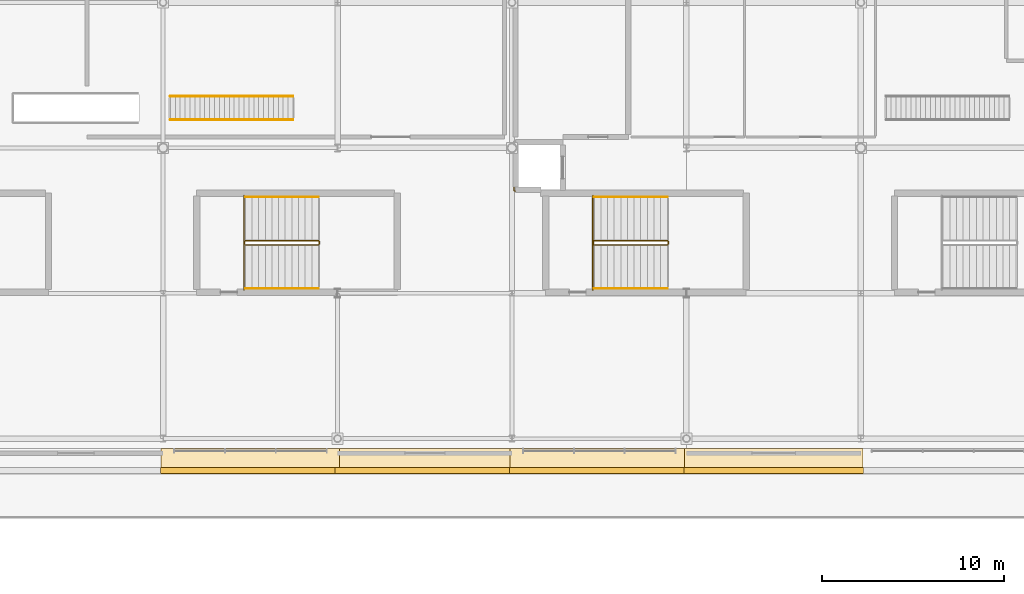
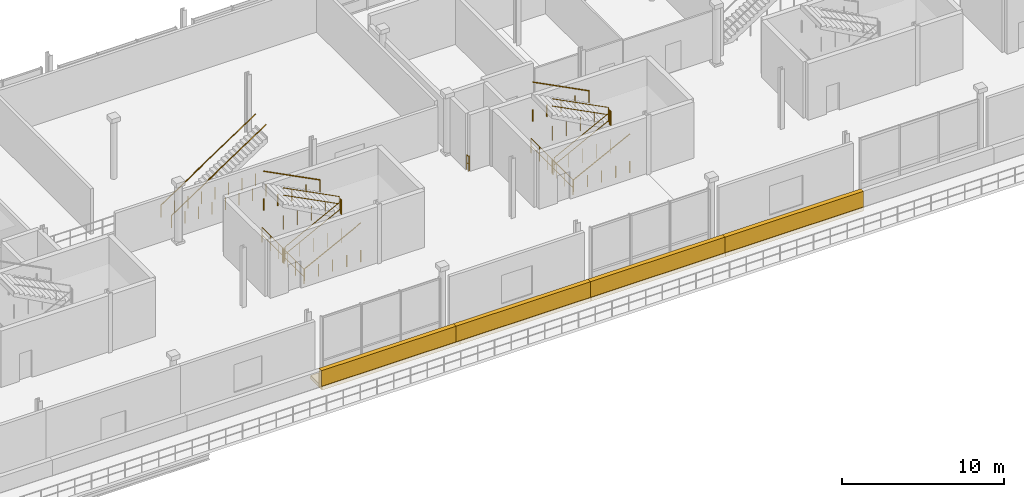
# One storey, part 30 of 36: 17 railings, 8 coverings.
"""IFC4 building model written with IfcOpenShell, lengths in metres."""

from ifc_helpers import new_model, si_unit, direction, frame, origin, origin_2d, place, context, subcontext, project, spatial, rectangle, circle, extrude, material, layer, layer_set, type_object, element, save


model = new_model("IFC4")

# Units and contexts
model_context = context("Model", 3, precision=1e-05, world=origin(), true_north=direction((0.0, 1.0)))
body_context = subcontext(model_context, "Body", "Model", "MODEL_VIEW")
ifc_project = project(units=[si_unit("LENGTHUNIT", "METRE"), si_unit("AREAUNIT", "SQUARE_METRE"), si_unit("VOLUMEUNIT", "CUBIC_METRE"), si_unit("PLANEANGLEUNIT", "RADIAN"), si_unit("MASSUNIT", "GRAM", prefix="KILO")], contexts=[model_context])

# Site, building, storey
site_placement = place(None, origin())
site = spatial("IfcSite", under=ifc_project, at=site_placement, CompositionType="ELEMENT")
building_placement = place(site_placement, origin())
building = spatial("IfcBuilding", under=site, at=building_placement, Name="Danafjord Basin Convention Centre", CompositionType="ELEMENT")
storey_placement = place(building_placement, frame((0.0, 0.0, 20.39990234375)))
storey = spatial("IfcBuildingStorey", under=building, at=storey_placement, Name="L04", CompositionType="ELEMENT", Elevation=20.39990234375)

# Coverings
ifc_material_1 = material(Name="Architectural white precast concrete C45/55", Category="concrete")
ifc_layer = layer(ifc_material_1, 0.320068359375)
ifc_layer_set = layer_set([ifc_layer], Name="Architectural white precast concrete C45/55")
covering_type = type_object("IfcCoveringType", Name="COV-BAND-HORIZ", PredefinedType="CLADDING", material=ifc_layer_set)
covering_1_placement = place(storey_placement, frame((33.60009765625, 6.75, -0.27978515625), z_axis=(0.0, 0.0, 1.0), x_axis=(1.0, 0.0, 0.0)))
element("IfcCovering", 1, at=covering_1_placement, inside=storey, type_object=covering_type, Name="L04 stepped horizontal band soffit plate 40", PredefinedType="CLADDING", context=body_context, shape_type="SweptSolid", body=[
    extrude(rectangle(XDim=9.840087890625, YDim=1.39990234375, at=origin_2d()), origin(), (0.0, 0.0, 1.0), 0.280029296875),
])
covering_2_placement = place(storey_placement, frame((33.60009765625, 6.239990234375, -0.23974609375), z_axis=(0.0, 0.0, 1.0), x_axis=(1.0, 0.0, 0.0)))
element("IfcCovering", 2, at=covering_2_placement, inside=storey, type_object=covering_type, Name="L04 layered horizontal white spandrel band 40", PredefinedType="CLADDING", context=body_context, shape_type="SweptSolid", body=[
    extrude(rectangle(XDim=9.8798828125, YDim=0.320068359375, at=origin_2d()), origin(), (0.0, 0.0, 1.0), 1.419921875),
])
covering_3_placement = place(storey_placement, frame((43.199951171875, 6.75, -0.27978515625), z_axis=(0.0, 0.0, 1.0), x_axis=(1.0, 0.0, 0.0)))
element("IfcCovering", 3, at=covering_3_placement, inside=storey, type_object=covering_type, Name="L04 stepped horizontal band soffit plate 41", PredefinedType="CLADDING", context=body_context, shape_type="SweptSolid", body=[
    extrude(rectangle(XDim=9.840087890625, YDim=1.39990234375, at=origin_2d()), origin(), (0.0, 0.0, 1.0), 0.280029296875),
])
covering_4_placement = place(storey_placement, frame((43.199951171875, 6.239990234375, -0.23974609375), z_axis=(0.0, 0.0, 1.0), x_axis=(1.0, 0.0, 0.0)))
element("IfcCovering", 4, at=covering_4_placement, inside=storey, type_object=covering_type, Name="L04 layered horizontal white spandrel band 41", PredefinedType="CLADDING", context=body_context, shape_type="SweptSolid", body=[
    extrude(rectangle(XDim=9.8798828125, YDim=0.320068359375, at=origin_2d()), origin(), (0.0, 0.0, 1.0), 1.419921875),
])
covering_5_placement = place(storey_placement, frame((52.800048828125, 6.75, -0.27978515625), z_axis=(0.0, 0.0, 1.0), x_axis=(1.0, 0.0, 0.0)))
element("IfcCovering", 5, at=covering_5_placement, inside=storey, type_object=covering_type, Name="L04 stepped horizontal band soffit plate 42", PredefinedType="CLADDING", context=body_context, shape_type="SweptSolid", body=[
    extrude(rectangle(XDim=9.840087890625, YDim=1.39990234375, at=origin_2d()), origin(), (0.0, 0.0, 1.0), 0.280029296875),
])
covering_6_placement = place(storey_placement, frame((52.800048828125, 6.239990234375, -0.23974609375), z_axis=(0.0, 0.0, 1.0), x_axis=(1.0, 0.0, 0.0)))
element("IfcCovering", 6, at=covering_6_placement, inside=storey, type_object=covering_type, Name="L04 layered horizontal white spandrel band 42", PredefinedType="CLADDING", context=body_context, shape_type="SweptSolid", body=[
    extrude(rectangle(XDim=9.8798828125, YDim=0.320068359375, at=origin_2d()), origin(), (0.0, 0.0, 1.0), 1.419921875),
])
covering_7_placement = place(storey_placement, frame((62.39990234375, 6.75, -0.27978515625), z_axis=(0.0, 0.0, 1.0), x_axis=(1.0, 0.0, 0.0)))
element("IfcCovering", 7, at=covering_7_placement, inside=storey, type_object=covering_type, Name="L04 stepped horizontal band soffit plate 43", PredefinedType="CLADDING", context=body_context, shape_type="SweptSolid", body=[
    extrude(rectangle(XDim=9.840087890625, YDim=1.39990234375, at=origin_2d()), origin(), (0.0, 0.0, 1.0), 0.280029296875),
])
covering_8_placement = place(storey_placement, frame((62.39990234375, 6.239990234375, -0.23974609375), z_axis=(0.0, 0.0, 1.0), x_axis=(1.0, 0.0, 0.0)))
element("IfcCovering", 8, at=covering_8_placement, inside=storey, type_object=covering_type, Name="L04 layered horizontal white spandrel band 43", PredefinedType="CLADDING", context=body_context, shape_type="SweptSolid", body=[
    extrude(rectangle(XDim=9.8798828125, YDim=0.320068359375, at=origin_2d()), origin(), (0.0, 0.0, 1.0), 1.419921875),
])

# Railings
ifc_material_2 = material(Name="Laminated structural glass and stainless steel", Category="steel")
railing_type_1 = type_object("IfcRailingType", Name="RL-BAL-GLS", PredefinedType="BALUSTRADE", material=ifc_material_2)
railing_1_placement = place(storey_placement, frame((52.449951171875, 21.375, 0.0)))
element("IfcRailing", 9, at=railing_1_placement, inside=storey, type_object=railing_type_1, Name="L04 safety guard balustrade 300", PredefinedType="BALUSTRADE", context=body_context, shape_type="SweptSolid", body=[
    extrude(circle(Radius=0.02392578125, at=origin_2d()), frame((0.0, 0.0, 1.1259765625), z_axis=(0.0, -1.0, 0.0), x_axis=(1.0, 0.0, 0.0)), (0.0, 0.0, 1.0), 5.18994140625),
    extrude(circle(Radius=0.02392578125, at=origin_2d()), frame((0.0, 0.0, 0.55078125), z_axis=(0.0, -1.0, 0.0), x_axis=(1.0, 0.0, 0.0)), (0.0, 0.0, 1.0), 5.18994140625),
    extrude(circle(Radius=0.02099609375, at=origin_2d()), origin(), (0.0, 0.0, 1.0), 1.099853515625),
    extrude(circle(Radius=0.02099609375, at=origin_2d()), frame((0.0, -1.0380859375, 0.0)), (0.0, 0.0, 1.0), 1.099853515625),
    extrude(circle(Radius=0.02099609375, at=origin_2d()), frame((0.0, -2.075927734375, 0.0)), (0.0, 0.0, 1.0), 1.099853515625),
    extrude(circle(Radius=0.02099609375, at=origin_2d()), frame((0.0, -3.114013671875, 0.0)), (0.0, 0.0, 1.0), 1.099853515625),
    extrude(circle(Radius=0.02099609375, at=origin_2d()), frame((0.0, -4.15185546875, 0.0)), (0.0, 0.0, 1.0), 1.099853515625),
    extrude(circle(Radius=0.02099609375, at=origin_2d()), frame((0.0, -5.18994140625, 0.0)), (0.0, 0.0, 1.0), 1.099853515625),
])
railing_2_placement = place(storey_placement, frame((48.1201171875, 21.8349609375, 0.0)))
element("IfcRailing", 10, at=railing_2_placement, inside=storey, type_object=railing_type_1, Name="L04 safety guard balustrade 302", PredefinedType="BALUSTRADE", context=body_context, shape_type="SweptSolid", body=[
    extrude(circle(Radius=0.02392578125, at=origin_2d()), frame((0.0, 0.0, 1.1259765625), z_axis=(0.0, -1.0, 0.0), x_axis=(1.0, 0.0, 0.0)), (0.0, 0.0, 1.0), 0.21484375),
    extrude(circle(Radius=0.02392578125, at=origin_2d()), frame((0.0, 0.0, 0.55078125), z_axis=(0.0, -1.0, 0.0), x_axis=(1.0, 0.0, 0.0)), (0.0, 0.0, 1.0), 0.21484375),
    extrude(circle(Radius=0.02392578125, at=origin_2d()), frame((0.0, -0.21484375, 1.1259765625), z_axis=(1.0, 0.0, 0.0), x_axis=(0.0, 1.0, 0.0)), (0.0, 0.0, 1.0), 0.079833984375),
    extrude(circle(Radius=0.02392578125, at=origin_2d()), frame((0.0, -0.21484375, 0.55078125), z_axis=(1.0, 0.0, 0.0), x_axis=(0.0, 1.0, 0.0)), (0.0, 0.0, 1.0), 0.079833984375),
    extrude(circle(Radius=0.02099609375, at=origin_2d()), origin(), (0.0, 0.0, 1.0), 1.099853515625),
    extrude(circle(Radius=0.02099609375, at=origin_2d()), frame((0.0, -0.21484375, 0.0)), (0.0, 0.0, 1.0), 1.099853515625),
    extrude(circle(Radius=0.02099609375, at=origin_2d()), frame((0.079833984375, -0.21484375, 0.0)), (0.0, 0.0, 1.0), 1.099853515625),
])
ifc_material_3 = material(Name="Galvanised and powder-coated steel S355", Category="steel")
railing_type_2 = type_object("IfcRailingType", Name="RL-BAL-STL", PredefinedType="BALUSTRADE", material=ifc_material_3)
railing_3_placement = place(storey_placement, frame((33.25, 21.375, 0.0)))
element("IfcRailing", 11, at=railing_3_placement, inside=storey, type_object=railing_type_2, Name="L04 safety guard balustrade 303", PredefinedType="BALUSTRADE", context=body_context, shape_type="SweptSolid", body=[
    extrude(circle(Radius=0.02392578125, at=origin_2d()), frame((0.0, 0.0, 1.1259765625), z_axis=(0.0, -1.0, 0.0), x_axis=(1.0, 0.0, 0.0)), (0.0, 0.0, 1.0), 5.18994140625),
    extrude(circle(Radius=0.02392578125, at=origin_2d()), frame((0.0, 0.0, 0.55078125), z_axis=(0.0, -1.0, 0.0), x_axis=(1.0, 0.0, 0.0)), (0.0, 0.0, 1.0), 5.18994140625),
    extrude(circle(Radius=0.02099609375, at=origin_2d()), origin(), (0.0, 0.0, 1.0), 1.099853515625),
    extrude(circle(Radius=0.02099609375, at=origin_2d()), frame((0.0, -1.0380859375, 0.0)), (0.0, 0.0, 1.0), 1.099853515625),
    extrude(circle(Radius=0.02099609375, at=origin_2d()), frame((0.0, -2.075927734375, 0.0)), (0.0, 0.0, 1.0), 1.099853515625),
    extrude(circle(Radius=0.02099609375, at=origin_2d()), frame((0.0, -3.114013671875, 0.0)), (0.0, 0.0, 1.0), 1.099853515625),
    extrude(circle(Radius=0.02099609375, at=origin_2d()), frame((0.0, -4.15185546875, 0.0)), (0.0, 0.0, 1.0), 1.099853515625),
    extrude(circle(Radius=0.02099609375, at=origin_2d()), frame((0.0, -5.18994140625, 0.0)), (0.0, 0.0, 1.0), 1.099853515625),
])
ifc_material_4 = material(Name="Galvanised steel S355", Category="steel")
railing_type_3 = type_object("IfcRailingType", Name="RL-GD-WELL", PredefinedType="BALUSTRADE", material=ifc_material_4)
railing_4_placement = place(storey_placement, frame((52.530029296875, 18.659912109375, 0.1875)))
element("IfcRailing", 12, at=railing_4_placement, inside=storey, type_object=railing_type_3, Name="L04 ST-05 stair guard 1", PredefinedType="BALUSTRADE", context=body_context, shape_type="SweptSolid", body=[
    extrude(circle(Radius=0.02392578125, at=origin_2d()), frame((0.0, 0.0, 1.076171875), z_axis=(0.889495128042, 0.0, 0.456944654405), x_axis=(0.0, 1.0, 0.0)), (0.0, 0.0, 1.0), 4.513671875),
    extrude(circle(Radius=0.02392578125, at=origin_2d()), frame((0.0, 0.0, 0.52587890625), z_axis=(0.889495128042, 0.0, 0.456944654405), x_axis=(0.0, 1.0, 0.0)), (0.0, 0.0, 1.0), 4.513671875),
    extrude(circle(Radius=0.02099609375, at=origin_2d()), origin(), (0.0, 0.0, 1.0), 1.050048828125),
    extrude(circle(Radius=0.02099609375, at=origin_2d()), frame((1.003662109375, 0.0, 0.0)), (0.0, 0.0, 1.0), 1.050048828125),
    extrude(circle(Radius=0.02099609375, at=origin_2d()), frame((2.00732421875, 0.0, 0.0)), (0.0, 0.0, 1.0), 1.050048828125),
    extrude(circle(Radius=0.02099609375, at=origin_2d()), frame((3.01123046875, 0.0, 0.0)), (0.0, 0.0, 1.0), 1.050048828125),
    extrude(circle(Radius=0.02099609375, at=origin_2d()), frame((4.014892578125, 0.0, 0.0)), (0.0, 0.0, 1.0), 1.050048828125),
])
railing_5_placement = place(storey_placement, frame((56.594970703125, 18.7099609375, 2.25)))
element("IfcRailing", 13, at=railing_5_placement, inside=storey, type_object=railing_type_3, Name="L04 ST-05 stair guard 2", PredefinedType="BALUSTRADE", context=body_context, shape_type="SweptSolid", body=[
    extrude(circle(Radius=0.02392578125, at=origin_2d()), frame((0.0, 0.0, 1.076171875), z_axis=(0.0, 1.0, 0.0), x_axis=(-1.0, 0.0, 0.0)), (0.0, 0.0, 1.0), 0.14013671875),
    extrude(circle(Radius=0.02392578125, at=origin_2d()), frame((0.0, 0.0, 0.52587890625), z_axis=(0.0, 1.0, 0.0), x_axis=(-1.0, 0.0, 0.0)), (0.0, 0.0, 1.0), 0.14013671875),
    extrude(circle(Radius=0.02099609375, at=origin_2d()), origin(), (0.0, 0.0, 1.0), 1.050048828125),
    extrude(circle(Radius=0.02099609375, at=origin_2d()), frame((0.0, 0.14013671875, 0.0)), (0.0, 0.0, 1.0), 1.050048828125),
])
railing_6_placement = place(storey_placement, frame((56.544921875, 18.89990234375, 2.4375)))
element("IfcRailing", 14, at=railing_6_placement, inside=storey, type_object=railing_type_3, Name="L04 ST-05 stair guard 3", PredefinedType="BALUSTRADE", context=body_context, shape_type="SweptSolid", body=[
    extrude(circle(Radius=0.02392578125, at=origin_2d()), frame((0.0, 0.0, 1.076171875), z_axis=(-0.889495128042, 0.0, 0.456944654405), x_axis=(0.0, -1.0, 0.0)), (0.0, 0.0, 1.0), 4.513671875),
    extrude(circle(Radius=0.02392578125, at=origin_2d()), frame((0.0, 0.0, 0.52587890625), z_axis=(-0.889495128042, 0.0, 0.456944654405), x_axis=(0.0, -1.0, 0.0)), (0.0, 0.0, 1.0), 4.513671875),
    extrude(circle(Radius=0.02099609375, at=origin_2d()), origin(), (0.0, 0.0, 1.0), 1.050048828125),
    extrude(circle(Radius=0.02099609375, at=origin_2d()), frame((-1.003662109375, 0.0, 0.0)), (0.0, 0.0, 1.0), 1.050048828125),
    extrude(circle(Radius=0.02099609375, at=origin_2d()), frame((-2.00732421875, 0.0, 0.0)), (0.0, 0.0, 1.0), 1.050048828125),
    extrude(circle(Radius=0.02099609375, at=origin_2d()), frame((-3.01123046875, 0.0, 0.0)), (0.0, 0.0, 1.0), 1.050048828125),
    extrude(circle(Radius=0.02099609375, at=origin_2d()), frame((-4.014892578125, 0.0, 0.0)), (0.0, 0.0, 1.0), 1.050048828125),
])
railing_7_placement = place(storey_placement, frame((52.47998046875, 18.7099609375, 0.0)))
element("IfcRailing", 15, at=railing_7_placement, inside=storey, type_object=railing_type_3, Name="L04 ST-05 stair guard 4", PredefinedType="BALUSTRADE", context=body_context, shape_type="SweptSolid", body=[
    extrude(circle(Radius=0.02392578125, at=origin_2d()), frame((0.0, 0.0, 1.076171875), z_axis=(0.0, 1.0, 0.0), x_axis=(-1.0, 0.0, 0.0)), (0.0, 0.0, 1.0), 0.14013671875),
    extrude(circle(Radius=0.02392578125, at=origin_2d()), frame((0.0, 0.0, 0.52587890625), z_axis=(0.0, 1.0, 0.0), x_axis=(-1.0, 0.0, 0.0)), (0.0, 0.0, 1.0), 0.14013671875),
    extrude(circle(Radius=0.02099609375, at=origin_2d()), origin(), (0.0, 0.0, 1.0), 1.050048828125),
    extrude(circle(Radius=0.02099609375, at=origin_2d()), frame((0.0, 0.14013671875, 0.0)), (0.0, 0.0, 1.0), 1.050048828125),
])
railing_8_placement = place(storey_placement, frame((33.330078125, 18.659912109375, 0.1875)))
element("IfcRailing", 16, at=railing_8_placement, inside=storey, type_object=railing_type_3, Name="L04 ST-02 stair guard 1", PredefinedType="BALUSTRADE", context=body_context, shape_type="SweptSolid", body=[
    extrude(circle(Radius=0.02392578125, at=origin_2d()), frame((0.0, 0.0, 1.076171875), z_axis=(0.889495128042, 0.0, 0.456944654405), x_axis=(0.0, 1.0, 0.0)), (0.0, 0.0, 1.0), 4.513671875),
    extrude(circle(Radius=0.02392578125, at=origin_2d()), frame((0.0, 0.0, 0.52587890625), z_axis=(0.889495128042, 0.0, 0.456944654405), x_axis=(0.0, 1.0, 0.0)), (0.0, 0.0, 1.0), 4.513671875),
    extrude(circle(Radius=0.02099609375, at=origin_2d()), origin(), (0.0, 0.0, 1.0), 1.050048828125),
    extrude(circle(Radius=0.02099609375, at=origin_2d()), frame((1.003662109375, 0.0, 0.0)), (0.0, 0.0, 1.0), 1.050048828125),
    extrude(circle(Radius=0.02099609375, at=origin_2d()), frame((2.00732421875, 0.0, 0.0)), (0.0, 0.0, 1.0), 1.050048828125),
    extrude(circle(Radius=0.02099609375, at=origin_2d()), frame((3.01123046875, 0.0, 0.0)), (0.0, 0.0, 1.0), 1.050048828125),
    extrude(circle(Radius=0.02099609375, at=origin_2d()), frame((4.014892578125, 0.0, 0.0)), (0.0, 0.0, 1.0), 1.050048828125),
])
railing_9_placement = place(storey_placement, frame((37.39501953125, 18.7099609375, 2.25)))
element("IfcRailing", 17, at=railing_9_placement, inside=storey, type_object=railing_type_3, Name="L04 ST-02 stair guard 2", PredefinedType="BALUSTRADE", context=body_context, shape_type="SweptSolid", body=[
    extrude(circle(Radius=0.02392578125, at=origin_2d()), frame((0.0, 0.0, 1.076171875), z_axis=(0.0, 1.0, 0.0), x_axis=(-1.0, 0.0, 0.0)), (0.0, 0.0, 1.0), 0.14013671875),
    extrude(circle(Radius=0.02392578125, at=origin_2d()), frame((0.0, 0.0, 0.52587890625), z_axis=(0.0, 1.0, 0.0), x_axis=(-1.0, 0.0, 0.0)), (0.0, 0.0, 1.0), 0.14013671875),
    extrude(circle(Radius=0.02099609375, at=origin_2d()), origin(), (0.0, 0.0, 1.0), 1.050048828125),
    extrude(circle(Radius=0.02099609375, at=origin_2d()), frame((0.0, 0.14013671875, 0.0)), (0.0, 0.0, 1.0), 1.050048828125),
])
railing_10_placement = place(storey_placement, frame((37.344970703125, 18.89990234375, 2.4375)))
element("IfcRailing", 18, at=railing_10_placement, inside=storey, type_object=railing_type_3, Name="L04 ST-02 stair guard 3", PredefinedType="BALUSTRADE", context=body_context, shape_type="SweptSolid", body=[
    extrude(circle(Radius=0.02392578125, at=origin_2d()), frame((0.0, 0.0, 1.076171875), z_axis=(-0.889495128042, 0.0, 0.456944654405), x_axis=(0.0, -1.0, 0.0)), (0.0, 0.0, 1.0), 4.513671875),
    extrude(circle(Radius=0.02392578125, at=origin_2d()), frame((0.0, 0.0, 0.52587890625), z_axis=(-0.889495128042, 0.0, 0.456944654405), x_axis=(0.0, -1.0, 0.0)), (0.0, 0.0, 1.0), 4.513671875),
    extrude(circle(Radius=0.02099609375, at=origin_2d()), origin(), (0.0, 0.0, 1.0), 1.050048828125),
    extrude(circle(Radius=0.02099609375, at=origin_2d()), frame((-1.003662109375, 0.0, 0.0)), (0.0, 0.0, 1.0), 1.050048828125),
    extrude(circle(Radius=0.02099609375, at=origin_2d()), frame((-2.00732421875, 0.0, 0.0)), (0.0, 0.0, 1.0), 1.050048828125),
    extrude(circle(Radius=0.02099609375, at=origin_2d()), frame((-3.01123046875, 0.0, 0.0)), (0.0, 0.0, 1.0), 1.050048828125),
    extrude(circle(Radius=0.02099609375, at=origin_2d()), frame((-4.014892578125, 0.0, 0.0)), (0.0, 0.0, 1.0), 1.050048828125),
])
railing_11_placement = place(storey_placement, frame((33.280029296875, 18.7099609375, 0.0)))
element("IfcRailing", 19, at=railing_11_placement, inside=storey, type_object=railing_type_3, Name="L04 ST-02 stair guard 4", PredefinedType="BALUSTRADE", context=body_context, shape_type="SweptSolid", body=[
    extrude(circle(Radius=0.02392578125, at=origin_2d()), frame((0.0, 0.0, 1.076171875), z_axis=(0.0, 1.0, 0.0), x_axis=(-1.0, 0.0, 0.0)), (0.0, 0.0, 1.0), 0.14013671875),
    extrude(circle(Radius=0.02392578125, at=origin_2d()), frame((0.0, 0.0, 0.52587890625), z_axis=(0.0, 1.0, 0.0), x_axis=(-1.0, 0.0, 0.0)), (0.0, 0.0, 1.0), 0.14013671875),
    extrude(circle(Radius=0.02099609375, at=origin_2d()), origin(), (0.0, 0.0, 1.0), 1.050048828125),
    extrude(circle(Radius=0.02099609375, at=origin_2d()), frame((0.0, 0.14013671875, 0.0)), (0.0, 0.0, 1.0), 1.050048828125),
])
ifc_material_5 = material(Name="Brushed stainless steel EN 1.4404", Category="steel")
railing_type_4 = type_object("IfcRailingType", Name="RL-HR-STAIR", PredefinedType="HANDRAIL", material=ifc_material_5)
railing_12_placement = place(storey_placement, frame((52.530029296875, 16.260009765625, 0.1875)))
element("IfcRailing", 20, at=railing_12_placement, inside=storey, type_object=railing_type_4, Name="L04 ST-05 stair handrail 1", PredefinedType="HANDRAIL", context=body_context, shape_type="SweptSolid", body=[
    extrude(circle(Radius=0.02392578125, at=origin_2d()), frame((0.0, 0.0, 0.8759765625), z_axis=(0.889495128042, 0.0, 0.456944654405), x_axis=(0.0, 1.0, 0.0)), (0.0, 0.0, 1.0), 4.513671875),
    extrude(circle(Radius=0.02099609375, at=origin_2d()), origin(), (0.0, 0.0, 1.0), 0.849853515625),
    extrude(circle(Radius=0.02099609375, at=origin_2d()), frame((1.003662109375, 0.0, 0.0)), (0.0, 0.0, 1.0), 0.849853515625),
    extrude(circle(Radius=0.02099609375, at=origin_2d()), frame((2.00732421875, 0.0, 0.0)), (0.0, 0.0, 1.0), 0.849853515625),
    extrude(circle(Radius=0.02099609375, at=origin_2d()), frame((3.01123046875, 0.0, 0.0)), (0.0, 0.0, 1.0), 0.849853515625),
    extrude(circle(Radius=0.02099609375, at=origin_2d()), frame((4.014892578125, 0.0, 0.0)), (0.0, 0.0, 1.0), 0.849853515625),
])
railing_13_placement = place(storey_placement, frame((56.544921875, 21.300048828125, 2.4375)))
element("IfcRailing", 21, at=railing_13_placement, inside=storey, type_object=railing_type_4, Name="L04 ST-05 stair handrail 2", PredefinedType="HANDRAIL", context=body_context, shape_type="SweptSolid", body=[
    extrude(circle(Radius=0.02392578125, at=origin_2d()), frame((0.0, 0.0, 0.8759765625), z_axis=(-0.889495128042, 0.0, 0.456944654405), x_axis=(0.0, -1.0, 0.0)), (0.0, 0.0, 1.0), 4.513671875),
    extrude(circle(Radius=0.02099609375, at=origin_2d()), origin(), (0.0, 0.0, 1.0), 0.849853515625),
    extrude(circle(Radius=0.02099609375, at=origin_2d()), frame((-1.003662109375, 0.0, 0.0)), (0.0, 0.0, 1.0), 0.849853515625),
    extrude(circle(Radius=0.02099609375, at=origin_2d()), frame((-2.00732421875, 0.0, 0.0)), (0.0, 0.0, 1.0), 0.849853515625),
    extrude(circle(Radius=0.02099609375, at=origin_2d()), frame((-3.01123046875, 0.0, 0.0)), (0.0, 0.0, 1.0), 0.849853515625),
    extrude(circle(Radius=0.02099609375, at=origin_2d()), frame((-4.014892578125, 0.0, 0.0)), (0.0, 0.0, 1.0), 0.849853515625),
])
railing_14_placement = place(storey_placement, frame((33.330078125, 16.260009765625, 0.1875)))
element("IfcRailing", 22, at=railing_14_placement, inside=storey, type_object=railing_type_4, Name="L04 ST-02 stair handrail 1", PredefinedType="HANDRAIL", context=body_context, shape_type="SweptSolid", body=[
    extrude(circle(Radius=0.02392578125, at=origin_2d()), frame((0.0, 0.0, 0.8759765625), z_axis=(0.889495128042, 0.0, 0.456944654405), x_axis=(0.0, 1.0, 0.0)), (0.0, 0.0, 1.0), 4.513671875),
    extrude(circle(Radius=0.02099609375, at=origin_2d()), origin(), (0.0, 0.0, 1.0), 0.849853515625),
    extrude(circle(Radius=0.02099609375, at=origin_2d()), frame((1.003662109375, 0.0, 0.0)), (0.0, 0.0, 1.0), 0.849853515625),
    extrude(circle(Radius=0.02099609375, at=origin_2d()), frame((2.00732421875, 0.0, 0.0)), (0.0, 0.0, 1.0), 0.849853515625),
    extrude(circle(Radius=0.02099609375, at=origin_2d()), frame((3.01123046875, 0.0, 0.0)), (0.0, 0.0, 1.0), 0.849853515625),
    extrude(circle(Radius=0.02099609375, at=origin_2d()), frame((4.014892578125, 0.0, 0.0)), (0.0, 0.0, 1.0), 0.849853515625),
])
railing_15_placement = place(storey_placement, frame((37.344970703125, 21.300048828125, 2.4375)))
element("IfcRailing", 23, at=railing_15_placement, inside=storey, type_object=railing_type_4, Name="L04 ST-02 stair handrail 2", PredefinedType="HANDRAIL", context=body_context, shape_type="SweptSolid", body=[
    extrude(circle(Radius=0.02392578125, at=origin_2d()), frame((0.0, 0.0, 0.8759765625), z_axis=(-0.889495128042, 0.0, 0.456944654405), x_axis=(0.0, -1.0, 0.0)), (0.0, 0.0, 1.0), 4.513671875),
    extrude(circle(Radius=0.02099609375, at=origin_2d()), origin(), (0.0, 0.0, 1.0), 0.849853515625),
    extrude(circle(Radius=0.02099609375, at=origin_2d()), frame((-1.003662109375, 0.0, 0.0)), (0.0, 0.0, 1.0), 0.849853515625),
    extrude(circle(Radius=0.02099609375, at=origin_2d()), frame((-2.00732421875, 0.0, 0.0)), (0.0, 0.0, 1.0), 0.849853515625),
    extrude(circle(Radius=0.02099609375, at=origin_2d()), frame((-3.01123046875, 0.0, 0.0)), (0.0, 0.0, 1.0), 0.849853515625),
    extrude(circle(Radius=0.02099609375, at=origin_2d()), frame((-4.014892578125, 0.0, 0.0)), (0.0, 0.0, 1.0), 0.849853515625),
])
for number, where, name in (
    (24, (29.199951171875, 26.85009765625, 0.0), "Step-2 to Step-3 West Sky Stair handrail L"),
    (25, (29.199951171875, 25.550048828125, 0.0), "Step-2 to Step-3 West Sky Stair handrail R"),
):
    element("IfcRailing", number, at=place(storey_placement, frame(where)), inside=storey, type_object=railing_type_4, Name=name, PredefinedType="HANDRAIL", context=body_context, shape_type="SweptSolid", body=[
        extrude(circle(Radius=0.02392578125, at=origin_2d()), frame((0.0, 0.0, 0.89599609375), z_axis=(0.832050294338, 0.0, 0.554700196225), x_axis=(0.0, 1.0, 0.0)), (0.0, 0.0, 1.0), 8.112548828125),
        extrude(circle(Radius=0.02099609375, at=origin_2d()), origin(), (0.0, 0.0, 1.0), 0.869873046875),
        extrude(circle(Radius=0.02099609375, at=origin_2d()), frame((0.96435546875, 0.0, 0.0)), (0.0, 0.0, 1.0), 0.869873046875),
        extrude(circle(Radius=0.02099609375, at=origin_2d()), frame((1.928466796875, 0.0, 0.0)), (0.0, 0.0, 1.0), 0.869873046875),
        extrude(circle(Radius=0.02099609375, at=origin_2d()), frame((2.892822265625, 0.0, 0.0)), (0.0, 0.0, 1.0), 0.869873046875),
        extrude(circle(Radius=0.02099609375, at=origin_2d()), frame((3.857177734375, 0.0, 0.0)), (0.0, 0.0, 1.0), 0.869873046875),
        extrude(circle(Radius=0.02099609375, at=origin_2d()), frame((4.821533203125, 0.0, 0.0)), (0.0, 0.0, 1.0), 0.869873046875),
        extrude(circle(Radius=0.02099609375, at=origin_2d()), frame((5.78564453125, 0.0, 0.0)), (0.0, 0.0, 1.0), 0.869873046875),
        extrude(circle(Radius=0.02099609375, at=origin_2d()), frame((6.75, 0.0, 0.0)), (0.0, 0.0, 1.0), 0.869873046875),
    ])

save(model, "model.ifc")
